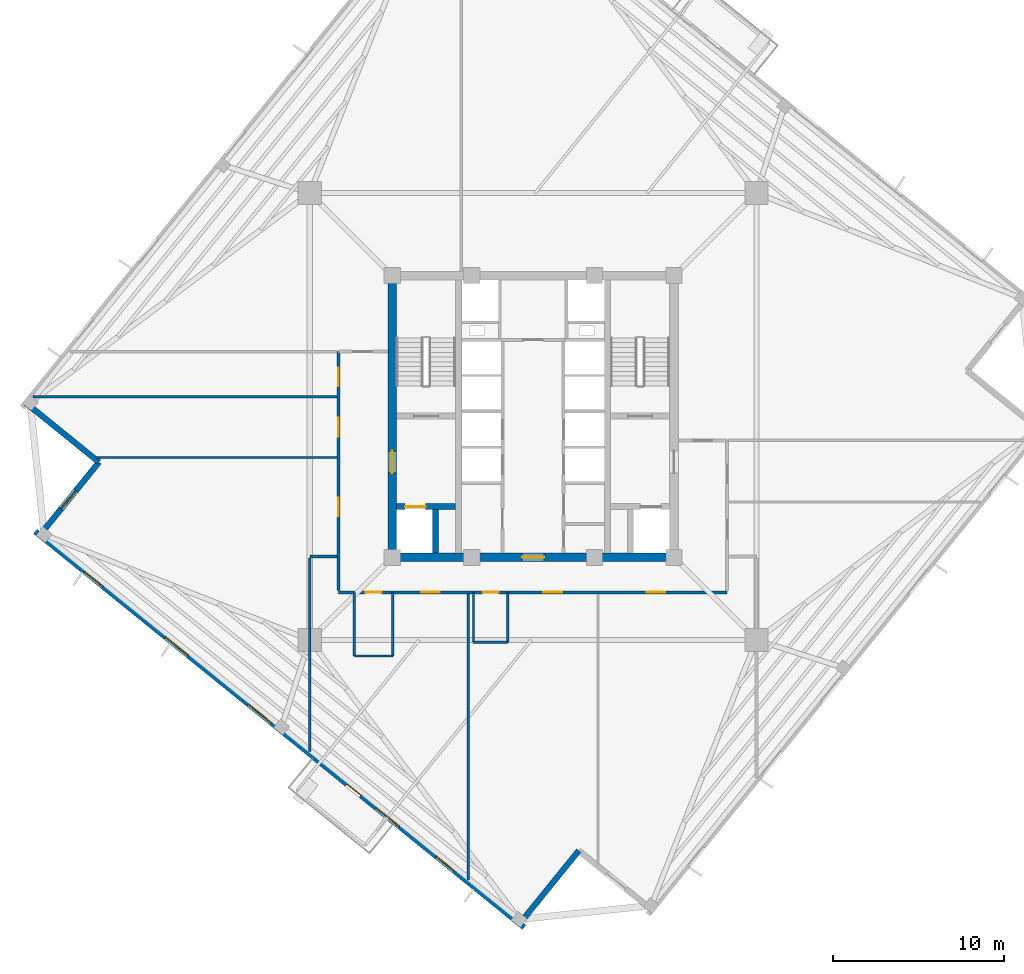
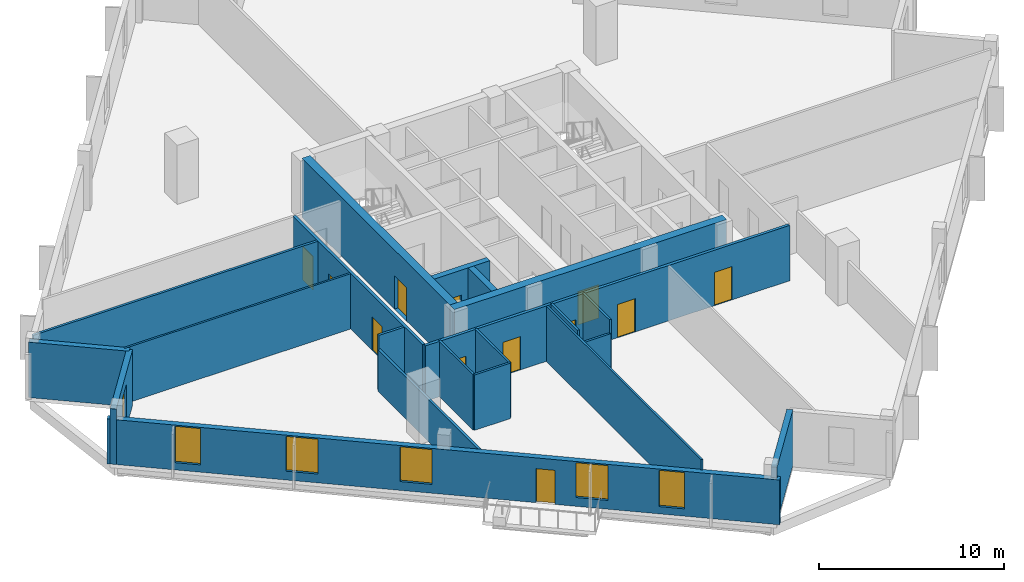
# One storey, part 3 of 10: 21 walls, 12 doors, 6 windows, 18 openings.
"""IFC4 building model written with IfcOpenShell, lengths in metres."""

from ifc_helpers import new_model, si_unit, direction, frame, frame_2d, origin, place, context, subcontext, project, spatial, rectangle, extrude, source, transform, mapped, material, layer, layer_set, type_object, element, fill, save


model = new_model("IFC4")

# Units and contexts
model_context = context("Model", 3, precision=1e-05, world=origin(), true_north=direction((0.0, 1.0)))
body_context = subcontext(model_context, "Body", "Model", "MODEL_VIEW")
ifc_project = project(units=[si_unit("LENGTHUNIT", "METRE"), si_unit("AREAUNIT", "SQUARE_METRE"), si_unit("VOLUMEUNIT", "CUBIC_METRE"), si_unit("PLANEANGLEUNIT", "RADIAN"), si_unit("MASSUNIT", "GRAM", prefix="KILO"), si_unit("THERMODYNAMICTEMPERATUREUNIT", "KELVIN")], contexts=[model_context])

# Site, building, storey
site_placement = place(None, origin())
site = spatial("IfcSite", under=ifc_project, at=site_placement, CompositionType="ELEMENT")
building_placement = place(site_placement, origin())
building = spatial("IfcBuilding", under=site, at=building_placement, Name="Kosmvard Interchange Tower", CompositionType="ELEMENT")
storey_placement = place(building_placement, frame((0.0, 0.0, 217.300048828125)))
storey = spatial("IfcBuildingStorey", under=building, at=storey_placement, Name="L52", CompositionType="ELEMENT", Elevation=217.300048828125)

# Walls
ifc_material_1 = material(Name="Acoustic gypsum partition system")
ifc_layer_1 = layer(ifc_material_1, 0.14990234375, Name="Acoustic gypsum partition system")
ifc_layer_set_1 = layer_set([ifc_layer_1], Name="Acoustic gypsum partition system")
wall_type_1 = type_object("IfcWallType", Name="Acoustic Suite & Meeting Partition 150", PredefinedType="PARTITIONING", material=ifc_layer_set_1)
wall_1_placement = place(storey_placement, frame((-29.275390625, 1.14990234375, 0.0), z_axis=(0.0, 0.0, 1.0), x_axis=(1.0, 0.0, 0.0)))
element("IfcWall", 1, at=wall_1_placement, inside=storey, type_object=wall_type_1, Name="L52 Room Partition 02.1", PredefinedType="PARTITIONING", context=body_context, shape_type="SweptSolid", body=[
    extrude(rectangle(XDim=17.7802734375, YDim=0.14990234375, at=frame_2d((8.89013671875, 0.0))), origin(), (0.0, 0.0, 1.0), 3.659912109375),
])
wall_2_placement = place(storey_placement, frame((-11.4951171875, -8.199951171875, 0.0), z_axis=(0.0, 0.0, 1.0), x_axis=(-1.0, 0.0, 0.0)))
element("IfcWall", 2, at=wall_2_placement, inside=storey, type_object=wall_type_1, Name="L52 Room Partition 05.1", PredefinedType="PARTITIONING", context=body_context, shape_type="SweptSolid", body=[
    extrude(rectangle(XDim=1.5859375, YDim=0.14990234375, at=frame_2d((0.79296875, 0.0))), origin(), (0.0, 0.0, 1.0), 3.659912109375),
])
wall_3_placement = place(storey_placement, frame((-13.0810546875, -8.27490234375, 0.0), z_axis=(0.0, 0.0, 1.0), x_axis=(0.0, -1.0, 0.0)))
element("IfcWall", 3, at=wall_3_placement, inside=storey, type_object=wall_type_1, Name="L52 Room Partition 06.1", PredefinedType="PARTITIONING", context=body_context, shape_type="SweptSolid", body=[
    extrude(rectangle(XDim=11.339111328125, YDim=0.14990234375, at=frame_2d((5.66943359375, 0.0))), origin(), (0.0, 0.0, 1.0), 2.760009765625),
])

# Wall, openings, doors
ifc_material_2 = material(Name="Fire-rated gypsum partition system")
ifc_layer_2 = layer(ifc_material_2, 0.179931640625, Name="Fire-rated gypsum partition system")
ifc_layer_set_2 = layer_set([ifc_layer_2], Name="Fire-rated gypsum partition system")
wall_type_2 = type_object("IfcWallType", Name="Corridor & Hotel Compartment Partition 180", PredefinedType="PARTITIONING", material=ifc_layer_set_2)
wall_4_placement = place(storey_placement, frame((-11.39990234375, -10.300048828125, 0.0), z_axis=(0.0, 0.0, 1.0), x_axis=(1.0, 0.0, 0.0)))
wall_4 = element("IfcWall", 4, at=wall_4_placement, inside=storey, type_object=wall_type_2, Name="L52 Corridor Wall CS", PredefinedType="PARTITIONING", context=body_context, shape_type="SweptSolid", body=[
    extrude(rectangle(XDim=22.75, YDim=0.179931640625, at=frame_2d((11.375, 0.0))), origin(), (0.0, 0.0, 1.0), 3.659912109375),
])
opening_1_placement = place(wall_4_placement, frame((8.43603515625, 0.0, 0.0)))
opening_1 = element("IfcOpeningElement", 5, at=opening_1_placement, cuts=wall_4, Name="Opening L52-D01", PredefinedType="OPENING", context=body_context, shape_type="SweptSolid", body=[
    extrude(rectangle(XDim=0.949951171875, YDim=2.10009765625, at=frame_2d((0.47509765625, 1.050048828125))), frame((0.0, 0.10009765625, 0.0), z_axis=(0.0, -1.0, 0.0), x_axis=(1.0, 0.0, 0.0)), (0.0, 0.0, 1.0), 0.199951171875),
])
opening_2_placement = place(wall_4_placement, frame((1.580078125, 0.0, 0.0)))
opening_2 = element("IfcOpeningElement", 6, at=opening_2_placement, cuts=wall_4, Name="Opening L52-D02", PredefinedType="OPENING", context=body_context, shape_type="SweptSolid", body=[
    extrude(rectangle(XDim=0.949951171875, YDim=2.10009765625, at=frame_2d((0.47509765625, 1.050048828125))), frame((0.0, 0.10009765625, 0.0), z_axis=(0.0, -1.0, 0.0), x_axis=(1.0, 0.0, 0.0)), (0.0, 0.0, 1.0), 0.199951171875),
])
opening_3_placement = place(wall_4_placement, frame((4.833984375, 0.0, 0.0)))
opening_3 = element("IfcOpeningElement", 7, at=opening_3_placement, cuts=wall_4, Name="Opening L52-D08", PredefinedType="OPENING", context=body_context, shape_type="SweptSolid", body=[
    extrude(rectangle(XDim=1.10009765625, YDim=2.199951171875, at=frame_2d((0.550048828125, 1.10009765625))), frame((0.0, 0.10009765625, 0.0), z_axis=(0.0, -1.0, 0.0), x_axis=(1.0, 0.0, 0.0)), (0.0, 0.0, 1.0), 0.199951171875),
])
opening_4_placement = place(wall_4_placement, frame((11.99951171875, 0.0, 0.0)))
opening_4 = element("IfcOpeningElement", 8, at=opening_4_placement, cuts=wall_4, Name="Opening L52-D09", PredefinedType="OPENING", context=body_context, shape_type="SweptSolid", body=[
    extrude(rectangle(XDim=1.10009765625, YDim=2.199951171875, at=frame_2d((0.550048828125, 1.10009765625))), frame((0.0, 0.10009765625, 0.0), z_axis=(0.0, -1.0, 0.0), x_axis=(1.0, 0.0, 0.0)), (0.0, 0.0, 1.0), 0.199951171875),
])
opening_5_placement = place(wall_4_placement, frame((18.04052734375, 0.0, 0.0)))
opening_5 = element("IfcOpeningElement", 9, at=opening_5_placement, cuts=wall_4, Name="Opening L52-D10", PredefinedType="OPENING", context=body_context, shape_type="SweptSolid", body=[
    extrude(rectangle(XDim=1.10009765625, YDim=2.199951171875, at=frame_2d((0.550048828125, 1.10009765625))), frame((0.0, 0.10009765625, 0.0), z_axis=(0.0, -1.0, 0.0), x_axis=(1.0, 0.0, 0.0)), (0.0, 0.0, 1.0), 0.199951171875),
])
ifc_material_3 = material(Name="Laminated moisture-resistant timber", Category="wood")
door_type_1 = type_object("IfcDoorType", Name="Accessible Washroom Door 950x2100", OperationType="NOTDEFINED", PredefinedType="DOOR", material=ifc_material_3)
shared_shape_1 = source(origin(), body_context, "Body", "SweptSolid", [
    extrude(rectangle(XDim=0.949951171875, YDim=2.10009765625, at=frame_2d((0.47509765625, 1.050048828125))), frame((0.0, 0.02490234375, 0.0), z_axis=(0.0, -1.0, 0.0), x_axis=(1.0, 0.0, 0.0)), (0.0, 0.0, 1.0), 0.050048828125),
])
door_1_placement = place(opening_1_placement, frame((0.949951171875, 0.0, 0.0), z_axis=(0.0, 0.0, 1.0), x_axis=(-1.0, 0.0, 0.0)))
door_1 = element("IfcDoor", 10, at=door_1_placement, inside=storey, type_object=door_type_1, Name="L52 Accessible Toilet Door", OperationType="SINGLE_SWING_LEFT", OverallHeight=2.10009765625, OverallWidth=0.949951171875, PredefinedType="DOOR", context=body_context, shape_type="MappedRepresentation", body=[
    mapped(shared_shape_1, transform((0.0, 0.0, 0.0), scale=1.0)),
])
fill(opening_1, door_1)
door_2_placement = place(opening_2_placement, frame((0.949951171875, 0.0, 0.0), z_axis=(0.0, 0.0, 1.0), x_axis=(-1.0, 0.0, 0.0)))
door_2 = element("IfcDoor", 11, at=door_2_placement, inside=storey, type_object=door_type_1, Name="L52 Public Floor Washroom Door", OperationType="SINGLE_SWING_RIGHT", OverallHeight=2.10009765625, OverallWidth=0.949951171875, PredefinedType="DOOR", context=body_context, shape_type="MappedRepresentation", body=[
    mapped(shared_shape_1, transform((0.0, 0.0, 0.0), scale=1.0)),
])
fill(opening_2, door_2)
ifc_material_4 = material(Name="Engineered oak fire-rated timber", Category="wood")
door_type_2 = type_object("IfcDoorType", Name="Office Suite Entrance Door 1100x2200 FD30S", OperationType="NOTDEFINED", PredefinedType="DOOR", material=ifc_material_4)
shared_shape_2 = source(origin(), body_context, "Body", "SweptSolid", [
    extrude(rectangle(XDim=1.10009765625, YDim=2.199951171875, at=frame_2d((0.550048828125, 1.10009765625))), frame((0.0, 0.02490234375, 0.0), z_axis=(0.0, -1.0, 0.0), x_axis=(1.0, 0.0, 0.0)), (0.0, 0.0, 1.0), 0.050048828125),
])
door_3_placement = place(opening_3_placement, frame((1.10009765625, 0.0, 0.0), z_axis=(0.0, 0.0, 1.0), x_axis=(-1.0, 0.0, 0.0)))
door_3 = element("IfcDoor", 12, at=door_3_placement, inside=storey, type_object=door_type_2, Name="L52 Members Concierge Reception Door", OperationType="SINGLE_SWING_RIGHT", OverallHeight=2.199951171875, OverallWidth=1.10009765625, PredefinedType="DOOR", context=body_context, shape_type="MappedRepresentation", body=[
    mapped(shared_shape_2, transform((0.0, 0.0, 0.0), scale=1.0)),
])
fill(opening_3, door_3)
door_4_placement = place(opening_4_placement, frame((1.10009765625, 0.0, 0.0), z_axis=(0.0, 0.0, 1.0), x_axis=(-1.0, 0.0, 0.0)))
door_4 = element("IfcDoor", 13, at=door_4_placement, inside=storey, type_object=door_type_2, Name="L52 Private Executive Dining Room Door", OperationType="SINGLE_SWING_LEFT", OverallHeight=2.199951171875, OverallWidth=1.10009765625, PredefinedType="DOOR", context=body_context, shape_type="MappedRepresentation", body=[
    mapped(shared_shape_2, transform((0.0, 0.0, 0.0), scale=1.0)),
])
fill(opening_4, door_4)
door_5_placement = place(opening_5_placement, frame((1.10009765625, 0.0, 0.0), z_axis=(0.0, 0.0, 1.0), x_axis=(-1.0, 0.0, 0.0)))
door_5 = element("IfcDoor", 14, at=door_5_placement, inside=storey, type_object=door_type_2, Name="L52 South Cigar and Tea Lounge Door", OperationType="SINGLE_SWING_RIGHT", OverallHeight=2.199951171875, OverallWidth=1.10009765625, PredefinedType="DOOR", context=body_context, shape_type="MappedRepresentation", body=[
    mapped(shared_shape_2, transform((0.0, 0.0, 0.0), scale=1.0)),
])
fill(opening_5, door_5)

wall_5_placement = place(storey_placement, frame((-11.39990234375, -10.199951171875, 0.0), z_axis=(0.0, 0.0, 1.0), x_axis=(0.0, 1.0, 0.0)))
wall_5 = element("IfcWall", 15, at=wall_5_placement, inside=storey, type_object=wall_type_2, Name="L52 Corridor Wall CW", PredefinedType="PARTITIONING", context=body_context, shape_type="SweptSolid", body=[
    extrude(rectangle(XDim=14.0, YDim=0.179931640625, at=frame_2d((7.0, 0.0))), origin(), (0.0, 0.0, 1.0), 3.659912109375),
])
opening_6_placement = place(wall_5_placement, frame((11.96044921875, 0.0, 0.0)))
opening_6 = element("IfcOpeningElement", 16, at=opening_6_placement, cuts=wall_5, Name="Opening L52-D03", PredefinedType="OPENING", context=body_context, shape_type="SweptSolid", body=[
    extrude(rectangle(XDim=1.10009765625, YDim=2.199951171875, at=frame_2d((0.550048828125, 1.10009765625))), frame((0.0, 0.10009765625, 0.0), z_axis=(0.0, -1.0, 0.0), x_axis=(1.0, 0.0, 0.0)), (0.0, 0.0, 1.0), 0.199951171875),
])
opening_7_placement = place(wall_5_placement, frame((9.02490234375, 0.0, 0.0)))
opening_7 = element("IfcOpeningElement", 17, at=opening_7_placement, cuts=wall_5, Name="Opening L52-D06", PredefinedType="OPENING", context=body_context, shape_type="SweptSolid", body=[
    extrude(rectangle(XDim=1.10009765625, YDim=2.199951171875, at=frame_2d((0.550048828125, 1.10009765625))), frame((0.0, 0.10009765625, 0.0), z_axis=(0.0, -1.0, 0.0), x_axis=(1.0, 0.0, 0.0)), (0.0, 0.0, 1.0), 0.199951171875),
])
opening_8_placement = place(wall_5_placement, frame((4.35009765625, 0.0, 0.0)))
opening_8 = element("IfcOpeningElement", 18, at=opening_8_placement, cuts=wall_5, Name="Opening L52-D07", PredefinedType="OPENING", context=body_context, shape_type="SweptSolid", body=[
    extrude(rectangle(XDim=1.10009765625, YDim=2.199951171875, at=frame_2d((0.550048828125, 1.10009765625))), frame((0.0, 0.10009765625, 0.0), z_axis=(0.0, -1.0, 0.0), x_axis=(1.0, 0.0, 0.0)), (0.0, 0.0, 1.0), 0.199951171875),
])
door_6_placement = place(opening_6_placement, origin())
door_6 = element("IfcDoor", 19, at=door_6_placement, inside=storey, type_object=door_type_2, Name="L52 West Harbour Reading Study Door", OperationType="SINGLE_SWING_LEFT", OverallHeight=2.199951171875, OverallWidth=1.10009765625, PredefinedType="DOOR", context=body_context, shape_type="MappedRepresentation", body=[
    mapped(shared_shape_2, transform((0.0, 0.0, 0.0), scale=1.0)),
])
fill(opening_6, door_6)
door_7_placement = place(opening_7_placement, origin())
door_7 = element("IfcDoor", 20, at=door_7_placement, inside=storey, type_object=door_type_2, Name="L52 Wine and Linen Store Door", OperationType="SINGLE_SWING_RIGHT", OverallHeight=2.199951171875, OverallWidth=1.10009765625, PredefinedType="DOOR", context=body_context, shape_type="MappedRepresentation", body=[
    mapped(shared_shape_2, transform((0.0, 0.0, 0.0), scale=1.0)),
])
fill(opening_7, door_7)
door_8_placement = place(opening_8_placement, origin())
door_8 = element("IfcDoor", 21, at=door_8_placement, inside=storey, type_object=door_type_2, Name="L52 Club Catering Kitchen Door", OperationType="SINGLE_SWING_LEFT", OverallHeight=2.199951171875, OverallWidth=1.10009765625, PredefinedType="DOOR", context=body_context, shape_type="MappedRepresentation", body=[
    mapped(shared_shape_2, transform((0.0, 0.0, 0.0), scale=1.0)),
])
fill(opening_8, door_8)

# Wall
ifc_material_5 = material(Name="Precast concrete C45/55", Category="concrete")
ifc_layer_3 = layer(ifc_material_5, 0.340087890625, Name="Precast concrete C45/55")
ifc_layer_set_3 = layer_set([ifc_layer_3], Name="Precast concrete C45/55")
wall_type_3 = type_object("IfcWallType", Name="Mid Tower Precast Pier Wall 340 C45/55", PredefinedType="STANDARD", material=ifc_layer_set_3)
wall_6_placement = place(storey_placement, frame((-29.703125, 0.78857421875, 0.0), z_axis=(0.0, 0.0, 1.0), x_axis=(0.77714355312, -0.629323365087, 0.0)))
element("IfcWall", 22, at=wall_6_placement, inside=storey, type_object=wall_type_3, Name="L52 Precast Facade Wall N-NW1", PredefinedType="STANDARD", context=body_context, shape_type="SweptSolid", body=[
    extrude(rectangle(XDim=5.499755859375, YDim=0.340087890625, at=frame_2d((2.75, 0.0))), origin(), (0.0, 0.0, 1.0), 3.659912109375),
])

# Wall, opening, window
wall_7_placement = place(storey_placement, frame((-25.428955078125, -2.672607421875, 0.0), z_axis=(0.0, 0.0, 1.0), x_axis=(-0.629299794138, -0.777162640055, 0.0)))
wall_7 = element("IfcWall", 23, at=wall_7_placement, inside=storey, type_object=wall_type_3, Name="L52 Precast Facade Wall N-NW2", PredefinedType="STANDARD", context=body_context, shape_type="SweptSolid", body=[
    extrude(rectangle(XDim=5.669921875, YDim=0.340087890625, at=frame_2d((2.8349609375, 0.0))), origin(), (0.0, 0.0, 1.0), 3.659912109375),
])
opening_9_placement = place(wall_7_placement, frame((2.135009765625, 0.0, 0.47998046875)))
opening_9 = element("IfcOpeningElement", 24, at=opening_9_placement, cuts=wall_7, Name="Opening L52-W22", PredefinedType="OPENING", context=body_context, shape_type="SweptSolid", body=[
    extrude(rectangle(XDim=1.39990234375, YDim=2.39990234375, at=frame_2d((0.699951171875, 1.199951171875))), frame((0.0, 0.18017578125, 0.0), z_axis=(0.0, -1.0, 0.0), x_axis=(1.0, 0.0, 0.0)), (0.0, 0.0, 1.0), 0.360107421875),
])
ifc_material_6 = material(Name="Low-E solar-control double glazing", Category="glass")
window_type_1 = type_object("IfcWindowType", Name="Notched Corner Feature Window 1400x2400", PartitioningType="SINGLE_PANEL", PredefinedType="WINDOW", material=ifc_material_6)
shared_shape_3 = source(origin(), body_context, "Body", "SweptSolid", [
    extrude(rectangle(XDim=1.39990234375, YDim=2.39990234375, at=frame_2d((0.699951171875, 1.199951171875))), frame((0.0, 0.030029296875, 0.0), z_axis=(0.0, -1.0, 0.0), x_axis=(1.0, 0.0, 0.0)), (0.0, 0.0, 1.0), 0.06005859375),
])
window_1_placement = place(opening_9_placement, origin())
window_1 = element("IfcWindow", 25, at=window_1_placement, inside=storey, type_object=window_type_1, Name="L52 Corner Notch Window 22", OverallHeight=2.39990234375, OverallWidth=1.39990234375, PartitioningType="SINGLE_PANEL", PredefinedType="WINDOW", context=body_context, shape_type="MappedRepresentation", body=[
    mapped(shared_shape_3, transform((0.0, 0.0, 0.0), scale=1.0)),
])
fill(opening_9, window_1)

# Wall, openings, door, windows
wall_8_placement = place(storey_placement, frame((-29.154296875, -6.73291015625, 0.0), z_axis=(0.0, 0.0, 1.0), x_axis=(0.77714192302, -0.629325378072, 0.0)))
wall_8 = element("IfcWall", 26, at=wall_8_placement, inside=storey, type_object=wall_type_3, Name="L52 Precast Facade Wall F-W", PredefinedType="STANDARD", context=body_context, shape_type="SweptSolid", body=[
    extrude(rectangle(XDim=36.840087890625, YDim=0.340087890625, at=frame_2d((18.419921875, 0.0))), origin(), (0.0, 0.0, 1.0), 2.9599609375),
])
opening_10_placement = place(wall_8_placement, frame((23.4951171875, 0.0, 0.0)))
opening_10 = element("IfcOpeningElement", 27, at=opening_10_placement, cuts=wall_8, Name="Opening L52-BDW", PredefinedType="OPENING", context=body_context, shape_type="SweptSolid", body=[
    extrude(rectangle(XDim=1.050048828125, YDim=2.25, at=frame_2d((0.52490234375, 1.125))), frame((0.0, 0.18017578125, 0.0), z_axis=(0.0, -1.0, 0.0), x_axis=(1.0, 0.0, 0.0)), (0.0, 0.0, 1.0), 0.360107421875),
])
opening_11_placement = place(wall_8_placement, frame((3.720703125, 0.0, 0.47998046875)))
opening_11 = element("IfcOpeningElement", 28, at=opening_11_placement, cuts=wall_8, Name="Opening L52-W16", PredefinedType="OPENING", context=body_context, shape_type="SweptSolid", body=[
    extrude(rectangle(XDim=1.39990234375, YDim=2.39990234375, at=frame_2d((0.699951171875, 1.199951171875))), frame((0.0, 0.18017578125, 0.0), z_axis=(0.0, -1.0, 0.0), x_axis=(1.0, 0.0, 0.0)), (0.0, 0.0, 1.0), 0.360107421875),
])
opening_12_placement = place(wall_8_placement, frame((9.80859375, 0.0, 0.580078125)))
opening_12 = element("IfcOpeningElement", 29, at=opening_12_placement, cuts=wall_8, Name="Opening L52-W17", PredefinedType="OPENING", context=body_context, shape_type="SweptSolid", body=[
    extrude(rectangle(XDim=1.75, YDim=2.300048828125, at=frame_2d((0.875, 1.14990234375))), frame((0.0, 0.18017578125, 0.0), z_axis=(0.0, -1.0, 0.0), x_axis=(1.0, 0.0, 0.0)), (0.0, 0.0, 1.0), 0.360107421875),
])
opening_13_placement = place(wall_8_placement, frame((16.05810546875, 0.0, 0.580078125)))
opening_13 = element("IfcOpeningElement", 30, at=opening_13_placement, cuts=wall_8, Name="Opening L52-W18", PredefinedType="OPENING", context=body_context, shape_type="SweptSolid", body=[
    extrude(rectangle(XDim=1.75, YDim=2.300048828125, at=frame_2d((0.875, 1.14990234375))), frame((0.0, 0.18017578125, 0.0), z_axis=(0.0, -1.0, 0.0), x_axis=(1.0, 0.0, 0.0)), (0.0, 0.0, 1.0), 0.360107421875),
])
opening_14_placement = place(wall_8_placement, frame((25.67626953125, 0.0, 0.580078125)))
opening_14 = element("IfcOpeningElement", 31, at=opening_14_placement, cuts=wall_8, Name="Opening L52-W19", PredefinedType="OPENING", context=body_context, shape_type="SweptSolid", body=[
    extrude(rectangle(XDim=1.75, YDim=2.300048828125, at=frame_2d((0.875, 1.14990234375))), frame((0.0, 0.18017578125, 0.0), z_axis=(0.0, -1.0, 0.0), x_axis=(1.0, 0.0, 0.0)), (0.0, 0.0, 1.0), 0.360107421875),
])
opening_15_placement = place(wall_8_placement, frame((30.232421875, 0.0, 0.47998046875)))
opening_15 = element("IfcOpeningElement", 32, at=opening_15_placement, cuts=wall_8, Name="Opening L52-W20", PredefinedType="OPENING", context=body_context, shape_type="SweptSolid", body=[
    extrude(rectangle(XDim=1.39990234375, YDim=2.39990234375, at=frame_2d((0.699951171875, 1.199951171875))), frame((0.0, 0.18017578125, 0.0), z_axis=(0.0, -1.0, 0.0), x_axis=(1.0, 0.0, 0.0)), (0.0, 0.0, 1.0), 0.360107421875),
])
ifc_material_7 = material(Name="Anodised aluminium and safety glass", Category="aluminium")
door_type_3 = type_object("IfcDoorType", Name="Tree-Balcony Glazed Door 1050x2250", OperationType="NOTDEFINED", PredefinedType="DOOR", material=ifc_material_7)
shared_shape_4 = source(origin(), body_context, "Body", "SweptSolid", [
    extrude(rectangle(XDim=1.050048828125, YDim=2.25, at=frame_2d((0.52490234375, 1.125))), frame((0.0, 0.02490234375, 0.0), z_axis=(0.0, -1.0, 0.0), x_axis=(1.0, 0.0, 0.0)), (0.0, 0.0, 1.0), 0.050048828125),
])
door_9_placement = place(opening_10_placement, origin())
door_9 = element("IfcDoor", 33, at=door_9_placement, inside=storey, type_object=door_type_3, Name="L52 Tree-Balcony Door BAL-L52-W", OperationType="SINGLE_SWING_LEFT", OverallHeight=2.25, OverallWidth=1.050048828125, PredefinedType="DOOR", context=body_context, shape_type="MappedRepresentation", body=[
    mapped(shared_shape_4, transform((0.0, 0.0, 0.0), scale=1.0)),
])
fill(opening_10, door_9)
window_2_placement = place(opening_11_placement, origin())
window_2 = element("IfcWindow", 34, at=window_2_placement, inside=storey, type_object=window_type_1, Name="L52 Facade Punched Window 16", OverallHeight=2.39990234375, OverallWidth=1.39990234375, PartitioningType="SINGLE_PANEL", PredefinedType="WINDOW", context=body_context, shape_type="MappedRepresentation", body=[
    mapped(shared_shape_3, transform((0.0, 0.0, 0.0), scale=1.0)),
])
fill(opening_11, window_2)
window_3_placement = place(opening_15_placement, origin())
window_3 = element("IfcWindow", 35, at=window_3_placement, inside=storey, type_object=window_type_1, Name="L52 Facade Punched Window 20", OverallHeight=2.39990234375, OverallWidth=1.39990234375, PartitioningType="SINGLE_PANEL", PredefinedType="WINDOW", context=body_context, shape_type="MappedRepresentation", body=[
    mapped(shared_shape_3, transform((0.0, 0.0, 0.0), scale=1.0)),
])
fill(opening_15, window_3)
window_type_2 = type_object("IfcWindowType", Name="Zone 4 Suite Punched Window 1750x2300", PartitioningType="SINGLE_PANEL", PredefinedType="WINDOW", material=ifc_material_6)
shared_shape_5 = source(origin(), body_context, "Body", "SweptSolid", [
    extrude(rectangle(XDim=1.75, YDim=2.300048828125, at=frame_2d((0.875, 1.14990234375))), frame((0.0, 0.030029296875, 0.0), z_axis=(0.0, -1.0, 0.0), x_axis=(1.0, 0.0, 0.0)), (0.0, 0.0, 1.0), 0.06005859375),
])
window_4_placement = place(opening_12_placement, origin())
window_4 = element("IfcWindow", 36, at=window_4_placement, inside=storey, type_object=window_type_2, Name="L52 Facade Punched Window 17", OverallHeight=2.300048828125, OverallWidth=1.75, PartitioningType="SINGLE_PANEL", PredefinedType="WINDOW", context=body_context, shape_type="MappedRepresentation", body=[
    mapped(shared_shape_5, transform((0.0, 0.0, 0.0), scale=1.0)),
])
fill(opening_12, window_4)
window_5_placement = place(opening_13_placement, origin())
window_5 = element("IfcWindow", 37, at=window_5_placement, inside=storey, type_object=window_type_2, Name="L52 Facade Punched Window 18", OverallHeight=2.300048828125, OverallWidth=1.75, PartitioningType="SINGLE_PANEL", PredefinedType="WINDOW", context=body_context, shape_type="MappedRepresentation", body=[
    mapped(shared_shape_5, transform((0.0, 0.0, 0.0), scale=1.0)),
])
fill(opening_13, window_5)
window_6_placement = place(opening_14_placement, origin())
window_6 = element("IfcWindow", 38, at=window_6_placement, inside=storey, type_object=window_type_2, Name="L52 Facade Punched Window 19", OverallHeight=2.300048828125, OverallWidth=1.75, PartitioningType="SINGLE_PANEL", PredefinedType="WINDOW", context=body_context, shape_type="MappedRepresentation", body=[
    mapped(shared_shape_5, transform((0.0, 0.0, 0.0), scale=1.0)),
])
fill(opening_14, window_6)

# Walls
wall_9_placement = place(storey_placement, frame((-0.78857421875, -29.703125, 0.0), z_axis=(0.0, 0.0, 1.0), x_axis=(0.629323365087, 0.77714355312, 0.0)))
element("IfcWall", 39, at=wall_9_placement, inside=storey, type_object=wall_type_3, Name="L52 Precast Facade Wall N-SW1", PredefinedType="STANDARD", context=body_context, shape_type="SweptSolid", body=[
    extrude(rectangle(XDim=5.499755859375, YDim=0.340087890625, at=frame_2d((2.75, 0.0))), origin(), (0.0, 0.0, 1.0), 3.659912109375),
])
ifc_material_8 = material(Name="Gypsum board partition system")
ifc_layer_4 = layer(ifc_material_8, 0.1201171875, Name="Gypsum board partition system")
ifc_layer_set_4 = layer_set([ifc_layer_4], Name="Gypsum board partition system")
wall_type_4 = type_object("IfcWallType", Name="Office Cellular Partition 120", PredefinedType="PARTITIONING", material=ifc_layer_set_4)
wall_10_placement = place(storey_placement, frame((-25.598876953125, -2.39990234375, 0.0), z_axis=(0.0, 0.0, 1.0), x_axis=(1.0, 0.0, 0.0)))
element("IfcWall", 40, at=wall_10_placement, inside=storey, type_object=wall_type_4, Name="L52 Room Partition 07.1", PredefinedType="PARTITIONING", context=body_context, shape_type="SweptSolid", body=[
    extrude(rectangle(XDim=14.103759765625, YDim=0.1201171875, at=frame_2d((7.0517578125, 0.0))), origin(), (0.0, 0.0, 1.0), 3.659912109375),
])
wall_11_placement = place(storey_placement, frame((-3.800048828125, -27.12939453125, 0.0), z_axis=(0.0, 0.0, 1.0), x_axis=(0.0, 1.0, 0.0)))
element("IfcWall", 41, at=wall_11_placement, inside=storey, type_object=wall_type_4, Name="L52 Room Partition 08.1", PredefinedType="PARTITIONING", context=body_context, shape_type="SweptSolid", body=[
    extrude(rectangle(XDim=16.734375, YDim=0.1201171875, at=frame_2d((8.3671875, 0.0))), origin(), (0.0, 0.0, 1.0), 3.659912109375),
])

# Wall, opening, door
ifc_material_9 = material(Name="Concrete C60/75", Category="concrete")
ifc_layer_5 = layer(ifc_material_9, 0.360107421875, Name="Concrete C60/75")
ifc_layer_set_5 = layer_set([ifc_layer_5], Name="Concrete C60/75")
wall_type_5 = type_object("IfcWallType", Name="Stair & Lift Shaft Shear Wall 360 C60/75", PredefinedType="SHEAR", material=ifc_layer_set_5)
wall_12_placement = place(storey_placement, frame((-8.0, -5.280029296875, 0.0), z_axis=(0.0, 0.0, 1.0), x_axis=(1.0, 0.0, 0.0)))
wall_12 = element("IfcWall", 42, at=wall_12_placement, inside=storey, type_object=wall_type_5, Name="L52 Shaft Shear Wall SW-FF1", PredefinedType="SHEAR", context=body_context, shape_type="SweptSolid", body=[
    extrude(rectangle(XDim=3.4599609375, YDim=0.360107421875, at=frame_2d((1.72998046875, 0.0))), origin(), (0.0, 0.0, 1.0), 3.89990234375),
])
opening_16_placement = place(wall_12_placement, frame((0.5, 0.0, 0.0)))
opening_16 = element("IfcOpeningElement", 43, at=opening_16_placement, cuts=wall_12, Name="Opening LD-FF-1-L52", PredefinedType="OPENING", context=body_context, shape_type="SweptSolid", body=[
    extrude(rectangle(XDim=1.199951171875, YDim=2.25, at=frame_2d((0.60009765625, 1.125))), frame((0.0, 0.18994140625, 0.0), z_axis=(0.0, -1.0, 0.0), x_axis=(1.0, 0.0, 0.0)), (0.0, 0.0, 1.0), 0.380126953125),
])
ifc_material_10 = material(Name="Brushed stainless steel sliding leaf", Category="steel")
door_type_4 = type_object("IfcDoorType", Name="Firefighting Lift Sliding Landing Door 1200x2250 EI120", OperationType="DOUBLE_DOOR_SLIDING", PredefinedType="DOOR", material=ifc_material_10)
shared_shape_6 = source(origin(), body_context, "Body", "SweptSolid", [
    extrude(rectangle(XDim=1.199951171875, YDim=2.25, at=frame_2d((0.60009765625, 1.125))), frame((0.0, 0.02490234375, 0.0), z_axis=(0.0, -1.0, 0.0), x_axis=(1.0, 0.0, 0.0)), (0.0, 0.0, 1.0), 0.050048828125),
])
door_10_placement = place(opening_16_placement, origin())
door_10 = element("IfcDoor", 44, at=door_10_placement, inside=storey, type_object=door_type_4, Name="Lift FF-1 Landing Door L52", OperationType="DOUBLE_DOOR_SLIDING", OverallHeight=2.25, OverallWidth=1.199951171875, PredefinedType="DOOR", context=body_context, shape_type="MappedRepresentation", body=[
    mapped(shared_shape_6, transform((0.0, 0.0, 0.0), scale=1.0)),
])
fill(opening_16, door_10)

# Wall
wall_13_placement = place(storey_placement, frame((-5.7099609375, -8.0, 0.0), z_axis=(0.0, 0.0, 1.0), x_axis=(0.0, 1.0, 0.0)))
element("IfcWall", 45, at=wall_13_placement, inside=storey, type_object=wall_type_5, Name="L52 Shaft Shear Wall SW-SM1", PredefinedType="SHEAR", context=body_context, shape_type="SweptSolid", body=[
    extrude(rectangle(XDim=2.5400390625, YDim=0.360107421875, at=frame_2d((1.27001953125, 0.0))), origin(), (0.0, 0.0, 1.0), 3.89990234375),
])

# Wall, opening, door
ifc_layer_6 = layer(ifc_material_9, 0.5, Name="Concrete C60/75")
ifc_layer_set_6 = layer_set([ifc_layer_6], Name="Concrete C60/75")
wall_type_6 = type_object("IfcWallType", Name="Upper Core Shear Wall 500 C60/75", PredefinedType="SHEAR", material=ifc_layer_set_6)
wall_14_placement = place(storey_placement, frame((-8.5, -8.25, 0.0), z_axis=(0.0, 0.0, 1.0), x_axis=(1.0, 0.0, 0.0)))
wall_14 = element("IfcWall", 46, at=wall_14_placement, inside=storey, type_object=wall_type_6, Name="L52 Core Shear Wall CW-S", PredefinedType="SHEAR", context=body_context, shape_type="SweptSolid", body=[
    extrude(rectangle(XDim=17.0, YDim=0.5, at=frame_2d((8.5, 0.0))), origin(), (0.0, 0.0, 1.0), 3.89990234375),
])
opening_17_placement = place(wall_14_placement, frame((7.85009765625, 0.0, 0.0)))
opening_17 = element("IfcOpeningElement", 47, at=opening_17_placement, cuts=wall_14, Name="Opening L52-LD0", PredefinedType="OPENING", context=body_context, shape_type="SweptSolid", body=[
    extrude(rectangle(XDim=1.300048828125, YDim=2.199951171875, at=frame_2d((0.64990234375, 1.10009765625))), frame((0.0, 0.260009765625, 0.0), z_axis=(0.0, -1.0, 0.0), x_axis=(1.0, 0.0, 0.0)), (0.0, 0.0, 1.0), 0.52001953125),
])
ifc_material_11 = material(Name="Painted fire-rated steel leaf", Category="steel")
door_type_5 = type_object("IfcDoorType", Name="Firefighting Lobby Door 1300x2200 EI60", OperationType="NOTDEFINED", PredefinedType="DOOR", material=ifc_material_11)
shared_shape_7 = source(origin(), body_context, "Body", "SweptSolid", [
    extrude(rectangle(XDim=1.300048828125, YDim=2.199951171875, at=frame_2d((0.64990234375, 1.10009765625))), frame((0.0, 0.02490234375, 0.0), z_axis=(0.0, -1.0, 0.0), x_axis=(1.0, 0.0, 0.0)), (0.0, 0.0, 1.0), 0.050048828125),
])
door_11_placement = place(opening_17_placement, frame((1.300048828125, 0.0, 0.0), z_axis=(0.0, 0.0, 1.0), x_axis=(-1.0, 0.0, 0.0)))
door_11 = element("IfcDoor", 48, at=door_11_placement, inside=storey, type_object=door_type_5, Name="L52 Passenger Lift Lobby South Door", OperationType="SINGLE_SWING_RIGHT", OverallHeight=2.199951171875, OverallWidth=1.300048828125, PredefinedType="DOOR", context=body_context, shape_type="MappedRepresentation", body=[
    mapped(shared_shape_7, transform((0.0, 0.0, 0.0), scale=1.0)),
])
fill(opening_17, door_11)

wall_15_placement = place(storey_placement, frame((-8.25, -8.0, 0.0), z_axis=(0.0, 0.0, 1.0), x_axis=(0.0, 1.0, 0.0)))
wall_15 = element("IfcWall", 49, at=wall_15_placement, inside=storey, type_object=wall_type_6, Name="L52 Core Shear Wall CW-W", PredefinedType="SHEAR", context=body_context, shape_type="SweptSolid", body=[
    extrude(rectangle(XDim=16.0, YDim=0.5, at=frame_2d((8.0, 0.0))), origin(), (0.0, 0.0, 1.0), 3.89990234375),
])
opening_18_placement = place(wall_15_placement, frame((4.68994140625, 0.0, 0.0)))
opening_18 = element("IfcOpeningElement", 50, at=opening_18_placement, cuts=wall_15, Name="Opening L52-FD1", PredefinedType="OPENING", context=body_context, shape_type="SweptSolid", body=[
    extrude(rectangle(XDim=1.300048828125, YDim=2.199951171875, at=frame_2d((0.64990234375, 1.10009765625))), frame((0.0, 0.260009765625, 0.0), z_axis=(0.0, -1.0, 0.0), x_axis=(1.0, 0.0, 0.0)), (0.0, 0.0, 1.0), 0.52001953125),
])
door_12_placement = place(opening_18_placement, frame((1.300048828125, 0.0, 0.0), z_axis=(0.0, 0.0, 1.0), x_axis=(-1.0, 0.0, 0.0)))
door_12 = element("IfcDoor", 51, at=door_12_placement, inside=storey, type_object=door_type_5, Name="L52 Firefighting Lobby West Door", OperationType="SINGLE_SWING_LEFT", OverallHeight=2.199951171875, OverallWidth=1.300048828125, PredefinedType="DOOR", context=body_context, shape_type="MappedRepresentation", body=[
    mapped(shared_shape_7, transform((0.0, 0.0, 0.0), scale=1.0)),
])
fill(opening_18, door_12)

# Walls
ifc_material_12 = material(Name="Moisture-resistant gypsum partition")
ifc_layer_7 = layer(ifc_material_12, 0.135009765625, Name="Moisture-resistant gypsum partition")
ifc_layer_set_7 = layer_set([ifc_layer_7], Name="Moisture-resistant gypsum partition")
wall_type_7 = type_object("IfcWallType", Name="Wet Room Moisture-Resistant Partition 135", PredefinedType="PARTITIONING", material=ifc_layer_set_7)
wall_16_placement = place(storey_placement, frame((-3.489013671875, -13.219970703125, 0.0), z_axis=(0.0, 0.0, 1.0), x_axis=(1.0, 0.0, 0.0)))
element("IfcWall", 52, at=wall_16_placement, inside=storey, type_object=wall_type_7, Name="L52 Washroom Partition AWC1-S", PredefinedType="PARTITIONING", context=body_context, shape_type="SweptSolid", body=[
    extrude(rectangle(XDim=2.0, YDim=0.135009765625, at=frame_2d((1.0, 0.0))), origin(), (0.0, 0.0, 1.0), 2.760009765625),
])
for number, where, z_axis, x_axis, name in (
    (53, (-1.489013671875, -13.219970703125, 0.0), (0.0, 0.0, 1.0), (0.0, 1.0, 0.0), "L52 Washroom Partition AWC1-E"),
    (54, (-3.489013671875, -13.219970703125, 0.0), (0.0, 0.0, 1.0), (0.0, 1.0, 0.0), "L52 Washroom Partition AWC1-W"),
):
    element("IfcWall", number, at=place(storey_placement, frame(where, z_axis=z_axis, x_axis=x_axis)), inside=storey, type_object=wall_type_7, Name=name, PredefinedType="PARTITIONING", context=body_context, shape_type="SweptSolid", body=[
        extrude(rectangle(XDim=2.89990234375, YDim=0.135009765625, at=frame_2d((1.449951171875, 0.0))), origin(), (0.0, 0.0, 1.0), 3.659912109375),
    ])
wall_17_placement = place(storey_placement, frame((-10.469970703125, -14.02001953125, 0.0), z_axis=(0.0, 0.0, 1.0), x_axis=(1.0, 0.0, 0.0)))
element("IfcWall", 55, at=wall_17_placement, inside=storey, type_object=wall_type_7, Name="L52 Washroom Partition WC1-S", PredefinedType="PARTITIONING", context=body_context, shape_type="SweptSolid", body=[
    extrude(rectangle(XDim=2.25, YDim=0.135009765625, at=frame_2d((1.125, 0.0))), origin(), (0.0, 0.0, 1.0), 3.659912109375),
])
for number, where, z_axis, x_axis, name in (
    (56, (-8.219970703125, -14.02001953125, 0.0), (0.0, 0.0, 1.0), (0.0, 1.0, 0.0), "L52 Washroom Partition WC1-E"),
    (57, (-10.469970703125, -14.02001953125, 0.0), (0.0, 0.0, 1.0), (0.0, 1.0, 0.0), "L52 Washroom Partition WC1-W"),
):
    element("IfcWall", number, at=place(storey_placement, frame(where, z_axis=z_axis, x_axis=x_axis)), inside=storey, type_object=wall_type_7, Name=name, PredefinedType="PARTITIONING", context=body_context, shape_type="SweptSolid", body=[
        extrude(rectangle(XDim=3.699951171875, YDim=0.135009765625, at=frame_2d((1.85009765625, 0.0))), origin(), (0.0, 0.0, 1.0), 3.659912109375),
    ])

save(model, "model.ifc")
